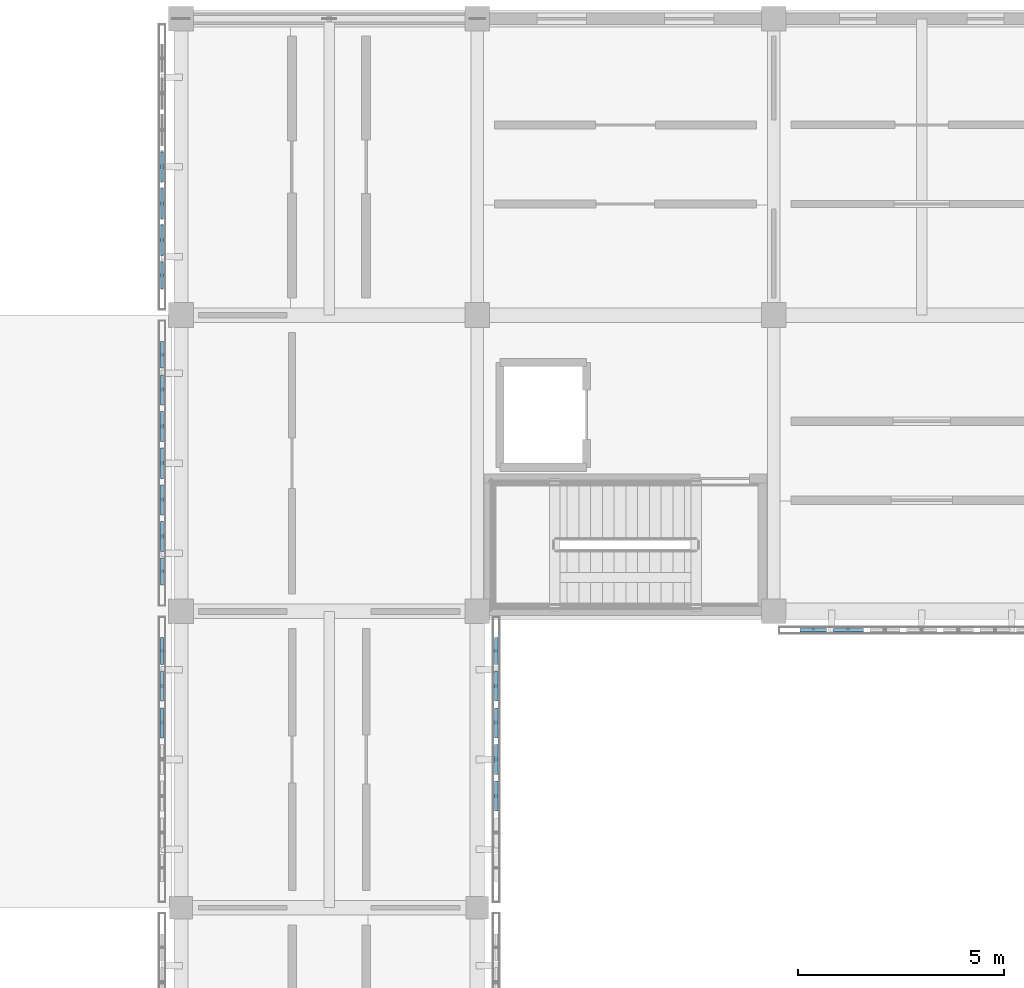
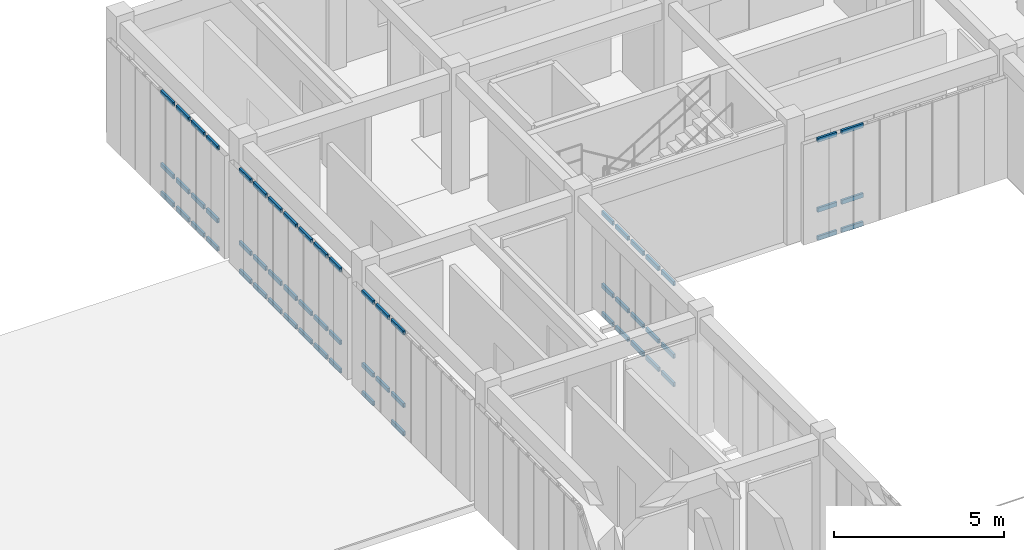
# One storey, part 40 of 91: 62 members, 5 elements without a shape of their own.
"""IFC4 building model written with IfcOpenShell, lengths in metres."""

from ifc_helpers import new_model, si_unit, direction, frame, origin, origin_2d, place, context, subcontext, project, spatial, hollow_rectangle, extrude, material, material_profile, profile_set, type_object, element, aggregate, save


model = new_model("IFC4")

# Units and contexts
model_context = context("Model", 3, precision=1e-05, world=origin(), true_north=direction((0.0, 1.0)))
body_context = subcontext(model_context, "Body", "Model", "MODEL_VIEW")
ifc_project = project(units=[si_unit("LENGTHUNIT", "METRE"), si_unit("AREAUNIT", "SQUARE_METRE"), si_unit("VOLUMEUNIT", "CUBIC_METRE"), si_unit("PLANEANGLEUNIT", "RADIAN"), si_unit("MASSUNIT", "GRAM", prefix="KILO")], contexts=[model_context])

# Site, building, storey
site_placement = place(None, origin())
site = spatial("IfcSite", under=ifc_project, at=site_placement, CompositionType="ELEMENT")
building_placement = place(site_placement, origin())
building = spatial("IfcBuilding", under=site, at=building_placement, Name="Aldebral Square Health Centre", CompositionType="ELEMENT")
storey_placement = place(building_placement, frame((0.0, 0.0, 9.0)))
storey = spatial("IfcBuildingStorey", under=building, at=storey_placement, Name="L02", CompositionType="ELEMENT", Elevation=9.0)

# Curtain wall, members
ifc_material_1 = material(Name="Aluminium and low-E solar glass", Category="aluminium")
curtain_wall_type = type_object("IfcCurtainWallType", Name="CW-FIN-SYS", PredefinedType="USERDEFINED", material=ifc_material_1)
curtain_wall_1_placement = place(storey_placement, origin())
curtain_wall_1 = element("IfcCurtainWall", 1, at=curtain_wall_1_placement, inside=storey, type_object=curtain_wall_type, Name="L02 V5 finned curtain wall L02-V5-19-13-W", ObjectType="SOLAR_CURTAIN_WALL", PredefinedType="USERDEFINED")
ifc_material_2 = material(Name="Anodised aluminium transom", Category="aluminium")
ifc_material_profile = material_profile(ifc_material_2, hollow_rectangle(XDim=0.074951171875, YDim=0.14990234375, WallThickness=0.00390625, at=origin_2d()), Name="CWT 75x150x4")
ifc_profile_set = profile_set([ifc_material_profile], Name="Anodised aluminium transom")
member_type = type_object("IfcMemberType", Name="CWT-STD", PredefinedType="USERDEFINED", material=ifc_profile_set)
member_1_placement = place(storey_placement, frame((136.340087890625, 100.159912109375, 0.03759765625), z_axis=(0.0, -1.0, 0.0), x_axis=(1.0, 0.0, 0.0)))
member_1 = element("IfcMember", 2, at=member_1_placement, type_object=member_type, Name="CW1 transom 1.1", ObjectType="TRANSOM", PredefinedType="USERDEFINED", context=body_context, shape_type="SweptSolid", body=[
    extrude(hollow_rectangle(XDim=0.074951171875, YDim=0.14990234375, WallThickness=0.00390625, at=origin_2d()), origin(), (0.0, 0.0, 1.0), 0.6513671875),
])
member_2_placement = place(storey_placement, frame((136.340087890625, 100.159912109375, 1.050048828125), z_axis=(0.0, -1.0, 0.0), x_axis=(1.0, 0.0, 0.0)))
member_2 = element("IfcMember", 3, at=member_2_placement, type_object=member_type, Name="CW1 transom 1.2", ObjectType="TRANSOM", PredefinedType="USERDEFINED", context=body_context, shape_type="SweptSolid", body=[
    extrude(hollow_rectangle(XDim=0.074951171875, YDim=0.14990234375, WallThickness=0.00390625, at=origin_2d()), origin(), (0.0, 0.0, 1.0), 0.6513671875),
])
member_3_placement = place(storey_placement, frame((136.340087890625, 100.159912109375, 3.652587890625), z_axis=(0.0, -1.0, 0.0), x_axis=(1.0, 0.0, 0.0)))
member_3 = element("IfcMember", 4, at=member_3_placement, type_object=member_type, Name="CW1 transom 1.3", ObjectType="TRANSOM", PredefinedType="USERDEFINED", context=body_context, shape_type="SweptSolid", body=[
    extrude(hollow_rectangle(XDim=0.074951171875, YDim=0.14990234375, WallThickness=0.00390625, at=origin_2d()), origin(), (0.0, 0.0, 1.0), 0.6513671875),
])
member_4_placement = place(storey_placement, frame((136.340087890625, 99.3486328125, 1.050048828125), z_axis=(0.0, -1.0, 0.0), x_axis=(1.0, 0.0, 0.0)))
member_4 = element("IfcMember", 5, at=member_4_placement, type_object=member_type, Name="CW1 transom 2.2", ObjectType="TRANSOM", PredefinedType="USERDEFINED", context=body_context, shape_type="SweptSolid", body=[
    extrude(hollow_rectangle(XDim=0.074951171875, YDim=0.14990234375, WallThickness=0.00390625, at=origin_2d()), origin(), (0.0, 0.0, 1.0), 0.7314453125),
])
member_5_placement = place(storey_placement, frame((136.340087890625, 99.3486328125, 3.652587890625), z_axis=(0.0, -1.0, 0.0), x_axis=(1.0, 0.0, 0.0)))
member_5 = element("IfcMember", 6, at=member_5_placement, type_object=member_type, Name="CW1 transom 2.3", ObjectType="TRANSOM", PredefinedType="USERDEFINED", context=body_context, shape_type="SweptSolid", body=[
    extrude(hollow_rectangle(XDim=0.074951171875, YDim=0.14990234375, WallThickness=0.00390625, at=origin_2d()), origin(), (0.0, 0.0, 1.0), 0.7314453125),
])
member_6_placement = place(storey_placement, frame((136.340087890625, 98.45703125, 0.03759765625), z_axis=(0.0, -1.0, 0.0), x_axis=(1.0, 0.0, 0.0)))
member_6 = element("IfcMember", 7, at=member_6_placement, type_object=member_type, Name="CW1 transom 3.1", ObjectType="TRANSOM", PredefinedType="USERDEFINED", context=body_context, shape_type="SweptSolid", body=[
    extrude(hollow_rectangle(XDim=0.074951171875, YDim=0.14990234375, WallThickness=0.00390625, at=origin_2d()), origin(), (0.0, 0.0, 1.0), 0.731201171875),
])
member_7_placement = place(storey_placement, frame((136.340087890625, 98.45703125, 1.050048828125), z_axis=(0.0, -1.0, 0.0), x_axis=(1.0, 0.0, 0.0)))
member_7 = element("IfcMember", 8, at=member_7_placement, type_object=member_type, Name="CW1 transom 3.2", ObjectType="TRANSOM", PredefinedType="USERDEFINED", context=body_context, shape_type="SweptSolid", body=[
    extrude(hollow_rectangle(XDim=0.074951171875, YDim=0.14990234375, WallThickness=0.00390625, at=origin_2d()), origin(), (0.0, 0.0, 1.0), 0.731201171875),
])
member_8_placement = place(storey_placement, frame((136.340087890625, 98.45703125, 3.652587890625), z_axis=(0.0, -1.0, 0.0), x_axis=(1.0, 0.0, 0.0)))
member_8 = element("IfcMember", 9, at=member_8_placement, type_object=member_type, Name="CW1 transom 3.3", ObjectType="TRANSOM", PredefinedType="USERDEFINED", context=body_context, shape_type="SweptSolid", body=[
    extrude(hollow_rectangle(XDim=0.074951171875, YDim=0.14990234375, WallThickness=0.00390625, at=origin_2d()), origin(), (0.0, 0.0, 1.0), 0.731201171875),
])
aggregate(curtain_wall_1, [member_1, member_2, member_3, member_4, member_5, member_6, member_7, member_8])

curtain_wall_2_placement = place(storey_placement, origin())
curtain_wall_2 = element("IfcCurtainWall", 10, at=curtain_wall_2_placement, inside=storey, type_object=curtain_wall_type, Name="L02 V5 finned curtain wall L02-V5-19-13-E", ObjectType="SOLAR_CURTAIN_WALL", PredefinedType="USERDEFINED")
member_9_placement = place(storey_placement, frame((144.4599609375, 95.94287109375, 0.03759765625), z_axis=(0.0, 1.0, 0.0), x_axis=(-1.0, 0.0, 0.0)))
member_9 = element("IfcMember", 11, at=member_9_placement, type_object=member_type, Name="CW1 transom 3.1", ObjectType="TRANSOM", PredefinedType="USERDEFINED", context=body_context, shape_type="SweptSolid", body=[
    extrude(hollow_rectangle(XDim=0.074951171875, YDim=0.14990234375, WallThickness=0.00390625, at=origin_2d()), origin(), (0.0, 0.0, 1.0), 0.7314453125),
])
member_10_placement = place(storey_placement, frame((144.4599609375, 95.94287109375, 1.050048828125), z_axis=(0.0, 1.0, 0.0), x_axis=(-1.0, 0.0, 0.0)))
member_10 = element("IfcMember", 12, at=member_10_placement, type_object=member_type, Name="CW1 transom 3.2", ObjectType="TRANSOM", PredefinedType="USERDEFINED", context=body_context, shape_type="SweptSolid", body=[
    extrude(hollow_rectangle(XDim=0.074951171875, YDim=0.14990234375, WallThickness=0.00390625, at=origin_2d()), origin(), (0.0, 0.0, 1.0), 0.7314453125),
])
member_11_placement = place(storey_placement, frame((144.4599609375, 95.94287109375, 3.652587890625), z_axis=(0.0, 1.0, 0.0), x_axis=(-1.0, 0.0, 0.0)))
member_11 = element("IfcMember", 13, at=member_11_placement, type_object=member_type, Name="CW1 transom 3.3", ObjectType="TRANSOM", PredefinedType="USERDEFINED", context=body_context, shape_type="SweptSolid", body=[
    extrude(hollow_rectangle(XDim=0.074951171875, YDim=0.14990234375, WallThickness=0.00390625, at=origin_2d()), origin(), (0.0, 0.0, 1.0), 0.7314453125),
])
member_12_placement = place(storey_placement, frame((144.4599609375, 96.834228515625, 0.03759765625), z_axis=(0.0, 1.0, 0.0), x_axis=(-1.0, 0.0, 0.0)))
member_12 = element("IfcMember", 14, at=member_12_placement, type_object=member_type, Name="CW1 transom 4.1", ObjectType="TRANSOM", PredefinedType="USERDEFINED", context=body_context, shape_type="SweptSolid", body=[
    extrude(hollow_rectangle(XDim=0.074951171875, YDim=0.14990234375, WallThickness=0.00390625, at=origin_2d()), origin(), (0.0, 0.0, 1.0), 0.7314453125),
])
member_13_placement = place(storey_placement, frame((144.4599609375, 96.834228515625, 1.050048828125), z_axis=(0.0, 1.0, 0.0), x_axis=(-1.0, 0.0, 0.0)))
member_13 = element("IfcMember", 15, at=member_13_placement, type_object=member_type, Name="CW1 transom 4.2", ObjectType="TRANSOM", PredefinedType="USERDEFINED", context=body_context, shape_type="SweptSolid", body=[
    extrude(hollow_rectangle(XDim=0.074951171875, YDim=0.14990234375, WallThickness=0.00390625, at=origin_2d()), origin(), (0.0, 0.0, 1.0), 0.7314453125),
])
member_14_placement = place(storey_placement, frame((144.4599609375, 96.834228515625, 3.652587890625), z_axis=(0.0, 1.0, 0.0), x_axis=(-1.0, 0.0, 0.0)))
member_14 = element("IfcMember", 16, at=member_14_placement, type_object=member_type, Name="CW1 transom 4.3", ObjectType="TRANSOM", PredefinedType="USERDEFINED", context=body_context, shape_type="SweptSolid", body=[
    extrude(hollow_rectangle(XDim=0.074951171875, YDim=0.14990234375, WallThickness=0.00390625, at=origin_2d()), origin(), (0.0, 0.0, 1.0), 0.7314453125),
])
member_15_placement = place(storey_placement, frame((144.4599609375, 97.725830078125, 0.03759765625), z_axis=(0.0, 1.0, 0.0), x_axis=(-1.0, 0.0, 0.0)))
member_15 = element("IfcMember", 17, at=member_15_placement, type_object=member_type, Name="CW1 transom 5.1", ObjectType="TRANSOM", PredefinedType="USERDEFINED", context=body_context, shape_type="SweptSolid", body=[
    extrude(hollow_rectangle(XDim=0.074951171875, YDim=0.14990234375, WallThickness=0.00390625, at=origin_2d()), origin(), (0.0, 0.0, 1.0), 0.731201171875),
])
member_16_placement = place(storey_placement, frame((144.4599609375, 97.725830078125, 1.050048828125), z_axis=(0.0, 1.0, 0.0), x_axis=(-1.0, 0.0, 0.0)))
member_16 = element("IfcMember", 18, at=member_16_placement, type_object=member_type, Name="CW1 transom 5.2", ObjectType="TRANSOM", PredefinedType="USERDEFINED", context=body_context, shape_type="SweptSolid", body=[
    extrude(hollow_rectangle(XDim=0.074951171875, YDim=0.14990234375, WallThickness=0.00390625, at=origin_2d()), origin(), (0.0, 0.0, 1.0), 0.731201171875),
])
member_17_placement = place(storey_placement, frame((144.4599609375, 97.725830078125, 3.652587890625), z_axis=(0.0, 1.0, 0.0), x_axis=(-1.0, 0.0, 0.0)))
member_17 = element("IfcMember", 19, at=member_17_placement, type_object=member_type, Name="CW1 transom 5.3", ObjectType="TRANSOM", PredefinedType="USERDEFINED", context=body_context, shape_type="SweptSolid", body=[
    extrude(hollow_rectangle(XDim=0.074951171875, YDim=0.14990234375, WallThickness=0.00390625, at=origin_2d()), origin(), (0.0, 0.0, 1.0), 0.731201171875),
])
member_18_placement = place(storey_placement, frame((144.4599609375, 98.6171875, 0.03759765625), z_axis=(0.0, 1.0, 0.0), x_axis=(-1.0, 0.0, 0.0)))
member_18 = element("IfcMember", 20, at=member_18_placement, type_object=member_type, Name="CW1 transom 6.1", ObjectType="TRANSOM", PredefinedType="USERDEFINED", context=body_context, shape_type="SweptSolid", body=[
    extrude(hollow_rectangle(XDim=0.074951171875, YDim=0.14990234375, WallThickness=0.00390625, at=origin_2d()), origin(), (0.0, 0.0, 1.0), 0.7314453125),
])
member_19_placement = place(storey_placement, frame((144.4599609375, 98.6171875, 1.050048828125), z_axis=(0.0, 1.0, 0.0), x_axis=(-1.0, 0.0, 0.0)))
member_19 = element("IfcMember", 21, at=member_19_placement, type_object=member_type, Name="CW1 transom 6.2", ObjectType="TRANSOM", PredefinedType="USERDEFINED", context=body_context, shape_type="SweptSolid", body=[
    extrude(hollow_rectangle(XDim=0.074951171875, YDim=0.14990234375, WallThickness=0.00390625, at=origin_2d()), origin(), (0.0, 0.0, 1.0), 0.7314453125),
])
member_20_placement = place(storey_placement, frame((144.4599609375, 98.6171875, 3.652587890625), z_axis=(0.0, 1.0, 0.0), x_axis=(-1.0, 0.0, 0.0)))
member_20 = element("IfcMember", 22, at=member_20_placement, type_object=member_type, Name="CW1 transom 6.3", ObjectType="TRANSOM", PredefinedType="USERDEFINED", context=body_context, shape_type="SweptSolid", body=[
    extrude(hollow_rectangle(XDim=0.074951171875, YDim=0.14990234375, WallThickness=0.00390625, at=origin_2d()), origin(), (0.0, 0.0, 1.0), 0.7314453125),
])
member_21_placement = place(storey_placement, frame((144.4599609375, 99.508544921875, 0.03759765625), z_axis=(0.0, 1.0, 0.0), x_axis=(-1.0, 0.0, 0.0)))
member_21 = element("IfcMember", 23, at=member_21_placement, type_object=member_type, Name="CW1 transom 7.1", ObjectType="TRANSOM", PredefinedType="USERDEFINED", context=body_context, shape_type="SweptSolid", body=[
    extrude(hollow_rectangle(XDim=0.074951171875, YDim=0.14990234375, WallThickness=0.00390625, at=origin_2d()), origin(), (0.0, 0.0, 1.0), 0.6513671875),
])
member_22_placement = place(storey_placement, frame((144.4599609375, 99.508544921875, 1.050048828125), z_axis=(0.0, 1.0, 0.0), x_axis=(-1.0, 0.0, 0.0)))
member_22 = element("IfcMember", 24, at=member_22_placement, type_object=member_type, Name="CW1 transom 7.2", ObjectType="TRANSOM", PredefinedType="USERDEFINED", context=body_context, shape_type="SweptSolid", body=[
    extrude(hollow_rectangle(XDim=0.074951171875, YDim=0.14990234375, WallThickness=0.00390625, at=origin_2d()), origin(), (0.0, 0.0, 1.0), 0.6513671875),
])
member_23_placement = place(storey_placement, frame((144.4599609375, 99.508544921875, 3.652587890625), z_axis=(0.0, 1.0, 0.0), x_axis=(-1.0, 0.0, 0.0)))
member_23 = element("IfcMember", 25, at=member_23_placement, type_object=member_type, Name="CW1 transom 7.3", ObjectType="TRANSOM", PredefinedType="USERDEFINED", context=body_context, shape_type="SweptSolid", body=[
    extrude(hollow_rectangle(XDim=0.074951171875, YDim=0.14990234375, WallThickness=0.00390625, at=origin_2d()), origin(), (0.0, 0.0, 1.0), 0.6513671875),
])
aggregate(curtain_wall_2, [member_9, member_10, member_11, member_12, member_13, member_14, member_15, member_16, member_17, member_18, member_19, member_20, member_21, member_22, member_23])

curtain_wall_3_placement = place(storey_placement, origin())
curtain_wall_3 = element("IfcCurtainWall", 26, at=curtain_wall_3_placement, inside=storey, type_object=curtain_wall_type, Name="L02 V5 finned curtain wall L02-V5-19-14-W", ObjectType="SOLAR_CURTAIN_WALL", PredefinedType="USERDEFINED")
member_24_placement = place(storey_placement, frame((136.340087890625, 107.360107421875, 0.03759765625), z_axis=(0.0, -1.0, 0.0), x_axis=(1.0, 0.0, 0.0)))
member_24 = element("IfcMember", 27, at=member_24_placement, type_object=member_type, Name="CW1 transom 1.1", ObjectType="TRANSOM", PredefinedType="USERDEFINED", context=body_context, shape_type="SweptSolid", body=[
    extrude(hollow_rectangle(XDim=0.074951171875, YDim=0.14990234375, WallThickness=0.00390625, at=origin_2d()), origin(), (0.0, 0.0, 1.0), 0.651611328125),
])
member_25_placement = place(storey_placement, frame((136.340087890625, 107.360107421875, 1.050048828125), z_axis=(0.0, -1.0, 0.0), x_axis=(1.0, 0.0, 0.0)))
member_25 = element("IfcMember", 28, at=member_25_placement, type_object=member_type, Name="CW1 transom 1.2", ObjectType="TRANSOM", PredefinedType="USERDEFINED", context=body_context, shape_type="SweptSolid", body=[
    extrude(hollow_rectangle(XDim=0.074951171875, YDim=0.14990234375, WallThickness=0.00390625, at=origin_2d()), origin(), (0.0, 0.0, 1.0), 0.651611328125),
])
member_26_placement = place(storey_placement, frame((136.340087890625, 107.360107421875, 3.652587890625), z_axis=(0.0, -1.0, 0.0), x_axis=(1.0, 0.0, 0.0)))
member_26 = element("IfcMember", 29, at=member_26_placement, type_object=member_type, Name="CW1 transom 1.3", ObjectType="TRANSOM", PredefinedType="USERDEFINED", context=body_context, shape_type="SweptSolid", body=[
    extrude(hollow_rectangle(XDim=0.074951171875, YDim=0.14990234375, WallThickness=0.00390625, at=origin_2d()), origin(), (0.0, 0.0, 1.0), 0.651611328125),
])
member_27_placement = place(storey_placement, frame((136.340087890625, 106.548583984375, 0.03759765625), z_axis=(0.0, -1.0, 0.0), x_axis=(1.0, 0.0, 0.0)))
member_27 = element("IfcMember", 30, at=member_27_placement, type_object=member_type, Name="CW1 transom 2.1", ObjectType="TRANSOM", PredefinedType="USERDEFINED", context=body_context, shape_type="SweptSolid", body=[
    extrude(hollow_rectangle(XDim=0.074951171875, YDim=0.14990234375, WallThickness=0.00390625, at=origin_2d()), origin(), (0.0, 0.0, 1.0), 0.7314453125),
])
member_28_placement = place(storey_placement, frame((136.340087890625, 106.548583984375, 1.050048828125), z_axis=(0.0, -1.0, 0.0), x_axis=(1.0, 0.0, 0.0)))
member_28 = element("IfcMember", 31, at=member_28_placement, type_object=member_type, Name="CW1 transom 2.2", ObjectType="TRANSOM", PredefinedType="USERDEFINED", context=body_context, shape_type="SweptSolid", body=[
    extrude(hollow_rectangle(XDim=0.074951171875, YDim=0.14990234375, WallThickness=0.00390625, at=origin_2d()), origin(), (0.0, 0.0, 1.0), 0.7314453125),
])
member_29_placement = place(storey_placement, frame((136.340087890625, 106.548583984375, 3.652587890625), z_axis=(0.0, -1.0, 0.0), x_axis=(1.0, 0.0, 0.0)))
member_29 = element("IfcMember", 32, at=member_29_placement, type_object=member_type, Name="CW1 transom 2.3", ObjectType="TRANSOM", PredefinedType="USERDEFINED", context=body_context, shape_type="SweptSolid", body=[
    extrude(hollow_rectangle(XDim=0.074951171875, YDim=0.14990234375, WallThickness=0.00390625, at=origin_2d()), origin(), (0.0, 0.0, 1.0), 0.7314453125),
])
member_30_placement = place(storey_placement, frame((136.340087890625, 105.6572265625, 0.03759765625), z_axis=(0.0, -1.0, 0.0), x_axis=(1.0, 0.0, 0.0)))
member_30 = element("IfcMember", 33, at=member_30_placement, type_object=member_type, Name="CW1 transom 3.1", ObjectType="TRANSOM", PredefinedType="USERDEFINED", context=body_context, shape_type="SweptSolid", body=[
    extrude(hollow_rectangle(XDim=0.074951171875, YDim=0.14990234375, WallThickness=0.00390625, at=origin_2d()), origin(), (0.0, 0.0, 1.0), 0.7314453125),
])
member_31_placement = place(storey_placement, frame((136.340087890625, 105.6572265625, 1.050048828125), z_axis=(0.0, -1.0, 0.0), x_axis=(1.0, 0.0, 0.0)))
member_31 = element("IfcMember", 34, at=member_31_placement, type_object=member_type, Name="CW1 transom 3.2", ObjectType="TRANSOM", PredefinedType="USERDEFINED", context=body_context, shape_type="SweptSolid", body=[
    extrude(hollow_rectangle(XDim=0.074951171875, YDim=0.14990234375, WallThickness=0.00390625, at=origin_2d()), origin(), (0.0, 0.0, 1.0), 0.7314453125),
])
member_32_placement = place(storey_placement, frame((136.340087890625, 105.6572265625, 3.652587890625), z_axis=(0.0, -1.0, 0.0), x_axis=(1.0, 0.0, 0.0)))
member_32 = element("IfcMember", 35, at=member_32_placement, type_object=member_type, Name="CW1 transom 3.3", ObjectType="TRANSOM", PredefinedType="USERDEFINED", context=body_context, shape_type="SweptSolid", body=[
    extrude(hollow_rectangle(XDim=0.074951171875, YDim=0.14990234375, WallThickness=0.00390625, at=origin_2d()), origin(), (0.0, 0.0, 1.0), 0.7314453125),
])
member_33_placement = place(storey_placement, frame((136.340087890625, 104.765625, 0.03759765625), z_axis=(0.0, -1.0, 0.0), x_axis=(1.0, 0.0, 0.0)))
member_33 = element("IfcMember", 36, at=member_33_placement, type_object=member_type, Name="CW1 transom 4.1", ObjectType="TRANSOM", PredefinedType="USERDEFINED", context=body_context, shape_type="SweptSolid", body=[
    extrude(hollow_rectangle(XDim=0.074951171875, YDim=0.14990234375, WallThickness=0.00390625, at=origin_2d()), origin(), (0.0, 0.0, 1.0), 0.7314453125),
])
member_34_placement = place(storey_placement, frame((136.340087890625, 104.765625, 1.050048828125), z_axis=(0.0, -1.0, 0.0), x_axis=(1.0, 0.0, 0.0)))
member_34 = element("IfcMember", 37, at=member_34_placement, type_object=member_type, Name="CW1 transom 4.2", ObjectType="TRANSOM", PredefinedType="USERDEFINED", context=body_context, shape_type="SweptSolid", body=[
    extrude(hollow_rectangle(XDim=0.074951171875, YDim=0.14990234375, WallThickness=0.00390625, at=origin_2d()), origin(), (0.0, 0.0, 1.0), 0.7314453125),
])
member_35_placement = place(storey_placement, frame((136.340087890625, 104.765625, 3.652587890625), z_axis=(0.0, -1.0, 0.0), x_axis=(1.0, 0.0, 0.0)))
member_35 = element("IfcMember", 38, at=member_35_placement, type_object=member_type, Name="CW1 transom 4.3", ObjectType="TRANSOM", PredefinedType="USERDEFINED", context=body_context, shape_type="SweptSolid", body=[
    extrude(hollow_rectangle(XDim=0.074951171875, YDim=0.14990234375, WallThickness=0.00390625, at=origin_2d()), origin(), (0.0, 0.0, 1.0), 0.7314453125),
])
member_36_placement = place(storey_placement, frame((136.340087890625, 103.874267578125, 0.03759765625), z_axis=(0.0, -1.0, 0.0), x_axis=(1.0, 0.0, 0.0)))
member_36 = element("IfcMember", 39, at=member_36_placement, type_object=member_type, Name="CW1 transom 5.1", ObjectType="TRANSOM", PredefinedType="USERDEFINED", context=body_context, shape_type="SweptSolid", body=[
    extrude(hollow_rectangle(XDim=0.074951171875, YDim=0.14990234375, WallThickness=0.00390625, at=origin_2d()), origin(), (0.0, 0.0, 1.0), 0.7314453125),
])
member_37_placement = place(storey_placement, frame((136.340087890625, 103.874267578125, 1.050048828125), z_axis=(0.0, -1.0, 0.0), x_axis=(1.0, 0.0, 0.0)))
member_37 = element("IfcMember", 40, at=member_37_placement, type_object=member_type, Name="CW1 transom 5.2", ObjectType="TRANSOM", PredefinedType="USERDEFINED", context=body_context, shape_type="SweptSolid", body=[
    extrude(hollow_rectangle(XDim=0.074951171875, YDim=0.14990234375, WallThickness=0.00390625, at=origin_2d()), origin(), (0.0, 0.0, 1.0), 0.7314453125),
])
member_38_placement = place(storey_placement, frame((136.340087890625, 103.874267578125, 3.652587890625), z_axis=(0.0, -1.0, 0.0), x_axis=(1.0, 0.0, 0.0)))
member_38 = element("IfcMember", 41, at=member_38_placement, type_object=member_type, Name="CW1 transom 5.3", ObjectType="TRANSOM", PredefinedType="USERDEFINED", context=body_context, shape_type="SweptSolid", body=[
    extrude(hollow_rectangle(XDim=0.074951171875, YDim=0.14990234375, WallThickness=0.00390625, at=origin_2d()), origin(), (0.0, 0.0, 1.0), 0.7314453125),
])
member_39_placement = place(storey_placement, frame((136.340087890625, 102.98291015625, 0.03759765625), z_axis=(0.0, -1.0, 0.0), x_axis=(1.0, 0.0, 0.0)))
member_39 = element("IfcMember", 42, at=member_39_placement, type_object=member_type, Name="CW1 transom 6.1", ObjectType="TRANSOM", PredefinedType="USERDEFINED", context=body_context, shape_type="SweptSolid", body=[
    extrude(hollow_rectangle(XDim=0.074951171875, YDim=0.14990234375, WallThickness=0.00390625, at=origin_2d()), origin(), (0.0, 0.0, 1.0), 0.7314453125),
])
member_40_placement = place(storey_placement, frame((136.340087890625, 102.98291015625, 1.050048828125), z_axis=(0.0, -1.0, 0.0), x_axis=(1.0, 0.0, 0.0)))
member_40 = element("IfcMember", 43, at=member_40_placement, type_object=member_type, Name="CW1 transom 6.2", ObjectType="TRANSOM", PredefinedType="USERDEFINED", context=body_context, shape_type="SweptSolid", body=[
    extrude(hollow_rectangle(XDim=0.074951171875, YDim=0.14990234375, WallThickness=0.00390625, at=origin_2d()), origin(), (0.0, 0.0, 1.0), 0.7314453125),
])
member_41_placement = place(storey_placement, frame((136.340087890625, 102.98291015625, 3.652587890625), z_axis=(0.0, -1.0, 0.0), x_axis=(1.0, 0.0, 0.0)))
member_41 = element("IfcMember", 44, at=member_41_placement, type_object=member_type, Name="CW1 transom 6.3", ObjectType="TRANSOM", PredefinedType="USERDEFINED", context=body_context, shape_type="SweptSolid", body=[
    extrude(hollow_rectangle(XDim=0.074951171875, YDim=0.14990234375, WallThickness=0.00390625, at=origin_2d()), origin(), (0.0, 0.0, 1.0), 0.7314453125),
])
member_42_placement = place(storey_placement, frame((136.340087890625, 102.09130859375, 0.03759765625), z_axis=(0.0, -1.0, 0.0), x_axis=(1.0, 0.0, 0.0)))
member_42 = element("IfcMember", 45, at=member_42_placement, type_object=member_type, Name="CW1 transom 7.1", ObjectType="TRANSOM", PredefinedType="USERDEFINED", context=body_context, shape_type="SweptSolid", body=[
    extrude(hollow_rectangle(XDim=0.074951171875, YDim=0.14990234375, WallThickness=0.00390625, at=origin_2d()), origin(), (0.0, 0.0, 1.0), 0.6513671875),
])
member_43_placement = place(storey_placement, frame((136.340087890625, 102.09130859375, 1.050048828125), z_axis=(0.0, -1.0, 0.0), x_axis=(1.0, 0.0, 0.0)))
member_43 = element("IfcMember", 46, at=member_43_placement, type_object=member_type, Name="CW1 transom 7.2", ObjectType="TRANSOM", PredefinedType="USERDEFINED", context=body_context, shape_type="SweptSolid", body=[
    extrude(hollow_rectangle(XDim=0.074951171875, YDim=0.14990234375, WallThickness=0.00390625, at=origin_2d()), origin(), (0.0, 0.0, 1.0), 0.6513671875),
])
member_44_placement = place(storey_placement, frame((136.340087890625, 102.09130859375, 3.652587890625), z_axis=(0.0, -1.0, 0.0), x_axis=(1.0, 0.0, 0.0)))
member_44 = element("IfcMember", 47, at=member_44_placement, type_object=member_type, Name="CW1 transom 7.3", ObjectType="TRANSOM", PredefinedType="USERDEFINED", context=body_context, shape_type="SweptSolid", body=[
    extrude(hollow_rectangle(XDim=0.074951171875, YDim=0.14990234375, WallThickness=0.00390625, at=origin_2d()), origin(), (0.0, 0.0, 1.0), 0.6513671875),
])
aggregate(curtain_wall_3, [member_24, member_25, member_26, member_27, member_28, member_29, member_30, member_31, member_32, member_33, member_34, member_35, member_36, member_37, member_38, member_39, member_40, member_41, member_42, member_43, member_44])

curtain_wall_4_placement = place(storey_placement, origin())
curtain_wall_4 = element("IfcCurtainWall", 48, at=curtain_wall_4_placement, inside=storey, type_object=curtain_wall_type, Name="L02 V5 finned curtain wall L02-V5-19-15-W", ObjectType="SOLAR_CURTAIN_WALL", PredefinedType="USERDEFINED")
member_45_placement = place(storey_placement, frame((136.340087890625, 111.9658203125, 0.03759765625), z_axis=(0.0, -1.0, 0.0), x_axis=(1.0, 0.0, 0.0)))
member_45 = element("IfcMember", 49, at=member_45_placement, type_object=member_type, Name="CW1 transom 4.1", ObjectType="TRANSOM", PredefinedType="USERDEFINED", context=body_context, shape_type="SweptSolid", body=[
    extrude(hollow_rectangle(XDim=0.074951171875, YDim=0.14990234375, WallThickness=0.00390625, at=origin_2d()), origin(), (0.0, 0.0, 1.0), 0.7314453125),
])
member_46_placement = place(storey_placement, frame((136.340087890625, 111.9658203125, 1.050048828125), z_axis=(0.0, -1.0, 0.0), x_axis=(1.0, 0.0, 0.0)))
member_46 = element("IfcMember", 50, at=member_46_placement, type_object=member_type, Name="CW1 transom 4.2", ObjectType="TRANSOM", PredefinedType="USERDEFINED", context=body_context, shape_type="SweptSolid", body=[
    extrude(hollow_rectangle(XDim=0.074951171875, YDim=0.14990234375, WallThickness=0.00390625, at=origin_2d()), origin(), (0.0, 0.0, 1.0), 0.7314453125),
])
member_47_placement = place(storey_placement, frame((136.340087890625, 111.9658203125, 3.652587890625), z_axis=(0.0, -1.0, 0.0), x_axis=(1.0, 0.0, 0.0)))
member_47 = element("IfcMember", 51, at=member_47_placement, type_object=member_type, Name="CW1 transom 4.3", ObjectType="TRANSOM", PredefinedType="USERDEFINED", context=body_context, shape_type="SweptSolid", body=[
    extrude(hollow_rectangle(XDim=0.074951171875, YDim=0.14990234375, WallThickness=0.00390625, at=origin_2d()), origin(), (0.0, 0.0, 1.0), 0.7314453125),
])
member_48_placement = place(storey_placement, frame((136.340087890625, 111.07421875, 0.03759765625), z_axis=(0.0, -1.0, 0.0), x_axis=(1.0, 0.0, 0.0)))
member_48 = element("IfcMember", 52, at=member_48_placement, type_object=member_type, Name="CW1 transom 5.1", ObjectType="TRANSOM", PredefinedType="USERDEFINED", context=body_context, shape_type="SweptSolid", body=[
    extrude(hollow_rectangle(XDim=0.074951171875, YDim=0.14990234375, WallThickness=0.00390625, at=origin_2d()), origin(), (0.0, 0.0, 1.0), 0.7314453125),
])
member_49_placement = place(storey_placement, frame((136.340087890625, 111.07421875, 1.050048828125), z_axis=(0.0, -1.0, 0.0), x_axis=(1.0, 0.0, 0.0)))
member_49 = element("IfcMember", 53, at=member_49_placement, type_object=member_type, Name="CW1 transom 5.2", ObjectType="TRANSOM", PredefinedType="USERDEFINED", context=body_context, shape_type="SweptSolid", body=[
    extrude(hollow_rectangle(XDim=0.074951171875, YDim=0.14990234375, WallThickness=0.00390625, at=origin_2d()), origin(), (0.0, 0.0, 1.0), 0.7314453125),
])
member_50_placement = place(storey_placement, frame((136.340087890625, 111.07421875, 3.652587890625), z_axis=(0.0, -1.0, 0.0), x_axis=(1.0, 0.0, 0.0)))
member_50 = element("IfcMember", 54, at=member_50_placement, type_object=member_type, Name="CW1 transom 5.3", ObjectType="TRANSOM", PredefinedType="USERDEFINED", context=body_context, shape_type="SweptSolid", body=[
    extrude(hollow_rectangle(XDim=0.074951171875, YDim=0.14990234375, WallThickness=0.00390625, at=origin_2d()), origin(), (0.0, 0.0, 1.0), 0.7314453125),
])
member_51_placement = place(storey_placement, frame((136.340087890625, 110.182861328125, 0.03759765625), z_axis=(0.0, -1.0, 0.0), x_axis=(1.0, 0.0, 0.0)))
member_51 = element("IfcMember", 55, at=member_51_placement, type_object=member_type, Name="CW1 transom 6.1", ObjectType="TRANSOM", PredefinedType="USERDEFINED", context=body_context, shape_type="SweptSolid", body=[
    extrude(hollow_rectangle(XDim=0.074951171875, YDim=0.14990234375, WallThickness=0.00390625, at=origin_2d()), origin(), (0.0, 0.0, 1.0), 0.7314453125),
])
member_52_placement = place(storey_placement, frame((136.340087890625, 110.182861328125, 1.050048828125), z_axis=(0.0, -1.0, 0.0), x_axis=(1.0, 0.0, 0.0)))
member_52 = element("IfcMember", 56, at=member_52_placement, type_object=member_type, Name="CW1 transom 6.2", ObjectType="TRANSOM", PredefinedType="USERDEFINED", context=body_context, shape_type="SweptSolid", body=[
    extrude(hollow_rectangle(XDim=0.074951171875, YDim=0.14990234375, WallThickness=0.00390625, at=origin_2d()), origin(), (0.0, 0.0, 1.0), 0.7314453125),
])
member_53_placement = place(storey_placement, frame((136.340087890625, 110.182861328125, 3.652587890625), z_axis=(0.0, -1.0, 0.0), x_axis=(1.0, 0.0, 0.0)))
member_53 = element("IfcMember", 57, at=member_53_placement, type_object=member_type, Name="CW1 transom 6.3", ObjectType="TRANSOM", PredefinedType="USERDEFINED", context=body_context, shape_type="SweptSolid", body=[
    extrude(hollow_rectangle(XDim=0.074951171875, YDim=0.14990234375, WallThickness=0.00390625, at=origin_2d()), origin(), (0.0, 0.0, 1.0), 0.7314453125),
])
member_54_placement = place(storey_placement, frame((136.340087890625, 109.29150390625, 0.03759765625), z_axis=(0.0, -1.0, 0.0), x_axis=(1.0, 0.0, 0.0)))
member_54 = element("IfcMember", 58, at=member_54_placement, type_object=member_type, Name="CW1 transom 7.1", ObjectType="TRANSOM", PredefinedType="USERDEFINED", context=body_context, shape_type="SweptSolid", body=[
    extrude(hollow_rectangle(XDim=0.074951171875, YDim=0.14990234375, WallThickness=0.00390625, at=origin_2d()), origin(), (0.0, 0.0, 1.0), 0.651611328125),
])
member_55_placement = place(storey_placement, frame((136.340087890625, 109.29150390625, 1.050048828125), z_axis=(0.0, -1.0, 0.0), x_axis=(1.0, 0.0, 0.0)))
member_55 = element("IfcMember", 59, at=member_55_placement, type_object=member_type, Name="CW1 transom 7.2", ObjectType="TRANSOM", PredefinedType="USERDEFINED", context=body_context, shape_type="SweptSolid", body=[
    extrude(hollow_rectangle(XDim=0.074951171875, YDim=0.14990234375, WallThickness=0.00390625, at=origin_2d()), origin(), (0.0, 0.0, 1.0), 0.651611328125),
])
member_56_placement = place(storey_placement, frame((136.340087890625, 109.29150390625, 3.652587890625), z_axis=(0.0, -1.0, 0.0), x_axis=(1.0, 0.0, 0.0)))
member_56 = element("IfcMember", 60, at=member_56_placement, type_object=member_type, Name="CW1 transom 7.3", ObjectType="TRANSOM", PredefinedType="USERDEFINED", context=body_context, shape_type="SweptSolid", body=[
    extrude(hollow_rectangle(XDim=0.074951171875, YDim=0.14990234375, WallThickness=0.00390625, at=origin_2d()), origin(), (0.0, 0.0, 1.0), 0.651611328125),
])
aggregate(curtain_wall_4, [member_45, member_46, member_47, member_48, member_49, member_50, member_51, member_52, member_53, member_54, member_55, member_56])

curtain_wall_5_placement = place(storey_placement, origin())
curtain_wall_5 = element("IfcCurtainWall", 61, at=curtain_wall_5_placement, inside=storey, type_object=curtain_wall_type, Name="L02 V5 finned curtain wall L02-V5-21-14-S", ObjectType="SOLAR_CURTAIN_WALL", PredefinedType="USERDEFINED")
member_57_placement = place(storey_placement, frame((151.840087890625, 100.340087890625, 0.03759765625), z_axis=(1.0, 0.0, 0.0), x_axis=(0.0, 1.0, 0.0)))
member_57 = element("IfcMember", 62, at=member_57_placement, type_object=member_type, Name="CW1 transom 1.1", ObjectType="TRANSOM", PredefinedType="USERDEFINED", context=body_context, shape_type="SweptSolid", body=[
    extrude(hollow_rectangle(XDim=0.074951171875, YDim=0.14990234375, WallThickness=0.00390625, at=origin_2d()), origin(), (0.0, 0.0, 1.0), 0.6513671875),
])
member_58_placement = place(storey_placement, frame((151.840087890625, 100.340087890625, 1.050048828125), z_axis=(1.0, 0.0, 0.0), x_axis=(0.0, 1.0, 0.0)))
member_58 = element("IfcMember", 63, at=member_58_placement, type_object=member_type, Name="CW1 transom 1.2", ObjectType="TRANSOM", PredefinedType="USERDEFINED", context=body_context, shape_type="SweptSolid", body=[
    extrude(hollow_rectangle(XDim=0.074951171875, YDim=0.14990234375, WallThickness=0.00390625, at=origin_2d()), origin(), (0.0, 0.0, 1.0), 0.6513671875),
])
member_59_placement = place(storey_placement, frame((151.840087890625, 100.340087890625, 3.552490234375), z_axis=(1.0, 0.0, 0.0), x_axis=(0.0, 1.0, 0.0)))
member_59 = element("IfcMember", 64, at=member_59_placement, type_object=member_type, Name="CW1 transom 1.3", ObjectType="TRANSOM", PredefinedType="USERDEFINED", context=body_context, shape_type="SweptSolid", body=[
    extrude(hollow_rectangle(XDim=0.074951171875, YDim=0.14990234375, WallThickness=0.00390625, at=origin_2d()), origin(), (0.0, 0.0, 1.0), 0.6513671875),
])
member_60_placement = place(storey_placement, frame((152.6513671875, 100.340087890625, 0.03759765625), z_axis=(1.0, 0.0, 0.0), x_axis=(0.0, 1.0, 0.0)))
member_60 = element("IfcMember", 65, at=member_60_placement, type_object=member_type, Name="CW1 transom 2.1", ObjectType="TRANSOM", PredefinedType="USERDEFINED", context=body_context, shape_type="SweptSolid", body=[
    extrude(hollow_rectangle(XDim=0.074951171875, YDim=0.14990234375, WallThickness=0.00390625, at=origin_2d()), origin(), (0.0, 0.0, 1.0), 0.7314453125),
])
member_61_placement = place(storey_placement, frame((152.6513671875, 100.340087890625, 1.050048828125), z_axis=(1.0, 0.0, 0.0), x_axis=(0.0, 1.0, 0.0)))
member_61 = element("IfcMember", 66, at=member_61_placement, type_object=member_type, Name="CW1 transom 2.2", ObjectType="TRANSOM", PredefinedType="USERDEFINED", context=body_context, shape_type="SweptSolid", body=[
    extrude(hollow_rectangle(XDim=0.074951171875, YDim=0.14990234375, WallThickness=0.00390625, at=origin_2d()), origin(), (0.0, 0.0, 1.0), 0.7314453125),
])
member_62_placement = place(storey_placement, frame((152.6513671875, 100.340087890625, 3.552490234375), z_axis=(1.0, 0.0, 0.0), x_axis=(0.0, 1.0, 0.0)))
member_62 = element("IfcMember", 67, at=member_62_placement, type_object=member_type, Name="CW1 transom 2.3", ObjectType="TRANSOM", PredefinedType="USERDEFINED", context=body_context, shape_type="SweptSolid", body=[
    extrude(hollow_rectangle(XDim=0.074951171875, YDim=0.14990234375, WallThickness=0.00390625, at=origin_2d()), origin(), (0.0, 0.0, 1.0), 0.7314453125),
])
aggregate(curtain_wall_5, [member_57, member_58, member_59, member_60, member_61, member_62])

save(model, "model.ifc")
